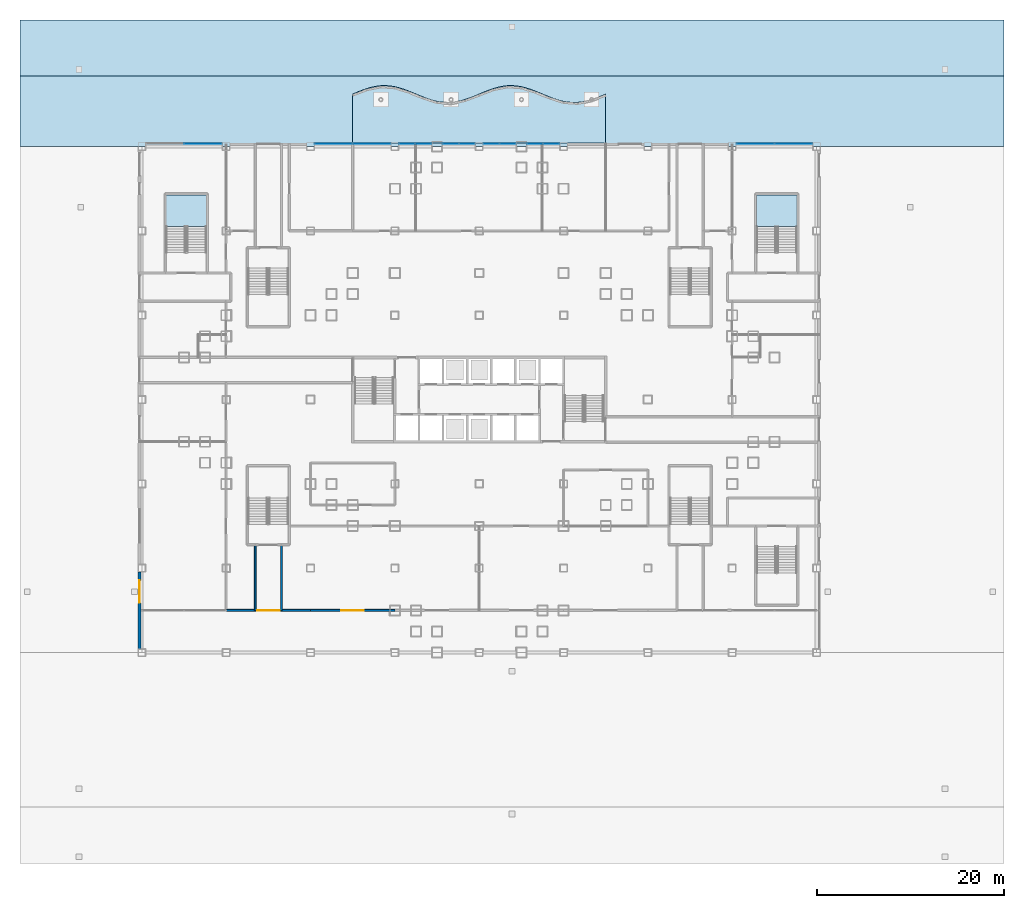
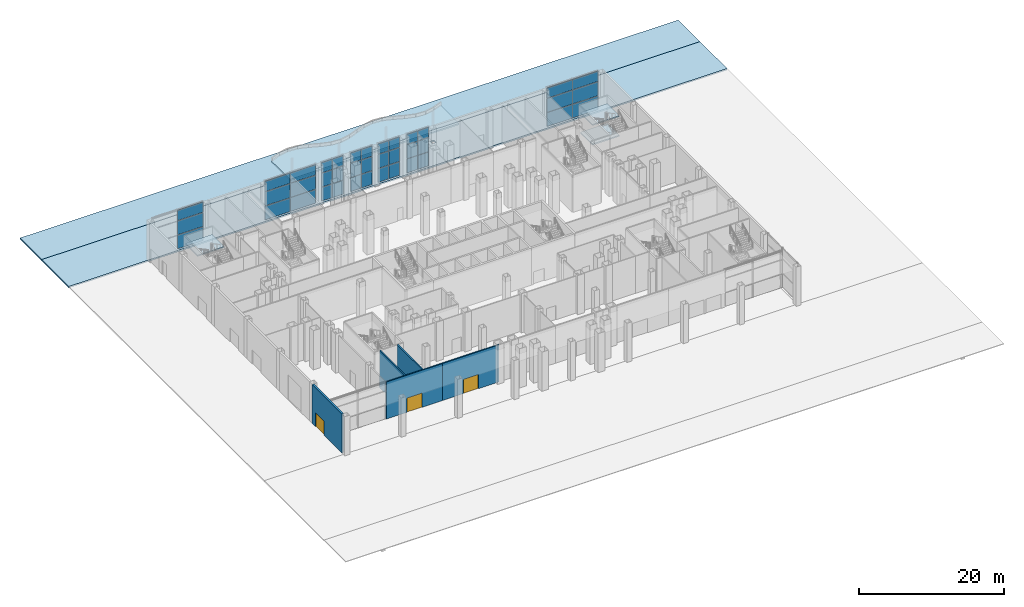
# One storey, part 12 of 38: 39 plates, 6 slabs, 5 walls, 3 doors, 3 openings, 9 elements without a shape of their own.
"""IFC4 building model written with IfcOpenShell, lengths in metres."""

from ifc_helpers import new_model, si_unit, direction, frame, frame_2d, origin, origin_2d, place, context, subcontext, project, spatial, polyline, rectangle, outline, extrude, material, layer, layer_set, type_object, element, fill, aggregate, save


model = new_model("IFC4")

# Units and contexts
model_context = context("Model", 3, precision=1e-05, world=origin(), true_north=direction((0.0, 1.0)))
body_context = subcontext(model_context, "Body", "Model", "MODEL_VIEW")
ifc_project = project(units=[si_unit("LENGTHUNIT", "METRE"), si_unit("AREAUNIT", "SQUARE_METRE"), si_unit("VOLUMEUNIT", "CUBIC_METRE"), si_unit("PLANEANGLEUNIT", "RADIAN"), si_unit("MASSUNIT", "GRAM", prefix="KILO")], contexts=[model_context])

# Site, building, storey
site_placement = place(None, origin())
site = spatial("IfcSite", under=ifc_project, at=site_placement, CompositionType="ELEMENT")
building_placement = place(site_placement, origin())
building = spatial("IfcBuilding", under=site, at=building_placement, Name="Caravel Reach Hotel and Residences", CompositionType="ELEMENT")
storey_placement = place(building_placement, origin())
storey = spatial("IfcBuildingStorey", under=building, at=storey_placement, Name="L00", CompositionType="ELEMENT", Elevation=0.0)

# Slab
ifc_material_1 = material(Name="Aluminium canopy panel", Category="aluminium")
ifc_layer_1 = layer(ifc_material_1, 0.25)
ifc_layer_set_1 = layer_set([ifc_layer_1], Name="CN1 Canopy roof slab 250")
slab_type_1 = type_object("IfcSlabType", Name="CN1 Canopy roof slab 250", PredefinedType="ROOF", material=ifc_layer_set_1)
slab_1_placement = place(storey_placement, frame((0.0, 0.0, 5.14990234375)))
element("IfcSlab", 1, at=slab_1_placement, inside=storey, type_object=slab_type_1, Name="Porte-cochere canopy", PredefinedType="ROOF", context=body_context, shape_type="SweptSolid", body=[
    extrude(outline(polyline([(18.0, 54.39990234375), (45.0, 54.39990234375), (45.0, 59.60009765625), (44.5, 59.392333984375), (44.0, 59.196044921875), (43.5, 59.021484375), (43.0, 58.878173828125), (42.5, 58.773681640625), (42.0, 58.713623046875), (41.5, 58.701416015625), (41.0, 58.73779296875), (40.5, 58.820556640625), (40.0, 58.9453125), (39.5, 59.10546875), (39.0, 59.292236328125), (38.5, 59.49560546875), (38.0, 59.70458984375), (37.5, 59.90771484375), (37.0, 60.094482421875), (36.5, 60.254638671875), (36.0, 60.37939453125), (35.5, 60.462158203125), (35.0, 60.49853515625), (34.5, 60.486328125), (34.0, 60.426513671875), (33.5, 60.322021484375), (33.0, 60.178466796875), (32.5, 60.00390625), (32.0, 59.8076171875), (31.5, 59.60009765625), (31.0, 59.392333984375), (30.5, 59.196044921875), (30.0, 59.021484375), (29.5, 58.878173828125), (29.0, 58.773681640625), (28.5, 58.713623046875), (28.0, 58.701416015625), (27.5, 58.73779296875), (27.0, 58.820556640625), (26.5, 58.9453125), (26.0, 59.10546875), (25.5, 59.292236328125), (25.0, 59.49560546875), (24.5, 59.70458984375), (24.0, 59.90771484375), (23.5, 60.094482421875), (23.0, 60.254638671875), (22.5, 60.37939453125), (22.0, 60.462158203125), (21.5, 60.49853515625), (21.0, 60.486328125), (20.5, 60.426513671875), (20.0, 60.322021484375), (19.5, 60.178466796875), (19.0, 60.00390625), (18.5, 59.8076171875), (18.0, 59.60009765625), (18.0, 54.39990234375)])), origin(), (0.0, 0.0, 1.0), 0.25),
])

# Curtain wall, plates
ifc_material_2 = material(Name="Dark low-e glazing in black aluminium frame", Category="aluminium")
ifc_layer_2 = layer(ifc_material_2, 0.199951171875)
ifc_layer_set_2 = layer_set([ifc_layer_2], Name="CW1 Podium storefront")
curtain_wall_type = type_object("IfcCurtainWallType", Name="CW1 Podium storefront", PredefinedType="NOTDEFINED", material=ifc_layer_set_2)
curtain_wall_1_placement = place(storey_placement, origin())
curtain_wall_1 = element("IfcCurtainWall", 2, at=curtain_wall_1_placement, inside=storey, type_object=curtain_wall_type, Name="Podium storefront b0", PredefinedType="NOTDEFINED")
ifc_material_3 = material(Name="Dark laminated low-e glass", Category="glass")
ifc_layer_3 = layer(ifc_material_3, 0.035888671875)
ifc_layer_set_3 = layer_set([ifc_layer_3], Name="CW glass panel 36")
plate_type = type_object("IfcPlateType", Name="CW glass panel 36", PredefinedType="CURTAIN_PANEL", material=ifc_layer_set_3)
plate_1_placement = place(storey_placement, frame((65.034912109375, 54.300048828125, 0.06005859375), z_axis=(0.0, 0.0, 1.0), x_axis=(-1.0, 0.0, 0.0)))
plate_1 = element("IfcPlate", 3, at=plate_1_placement, type_object=plate_type, Name="CW1 panel 1.1", PredefinedType="CURTAIN_PANEL", context=body_context, shape_type="SweptSolid", body=[
    extrude(rectangle(XDim=4.010009765625, YDim=0.035888671875, at=origin_2d()), origin(), (0.0, 0.0, 1.0), 2.31005859375),
])
plate_2_placement = place(storey_placement, frame((65.034912109375, 54.300048828125, 2.43017578125), z_axis=(0.0, 0.0, 1.0), x_axis=(-1.0, 0.0, 0.0)))
plate_2 = element("IfcPlate", 4, at=plate_2_placement, type_object=plate_type, Name="CW1 panel 1.2", PredefinedType="CURTAIN_PANEL", context=body_context, shape_type="SweptSolid", body=[
    extrude(rectangle(XDim=4.010009765625, YDim=0.035888671875, at=origin_2d()), origin(), (0.0, 0.0, 1.0), 2.340087890625),
])
plate_3_placement = place(storey_placement, frame((65.034912109375, 54.300048828125, 4.830078125), z_axis=(0.0, 0.0, 1.0), x_axis=(-1.0, 0.0, 0.0)))
plate_3 = element("IfcPlate", 5, at=plate_3_placement, type_object=plate_type, Name="CW1 panel 1.3", PredefinedType="CURTAIN_PANEL", context=body_context, shape_type="SweptSolid", body=[
    extrude(rectangle(XDim=4.010009765625, YDim=0.035888671875, at=origin_2d()), origin(), (0.0, 0.0, 1.0), 1.7099609375),
])
plate_4_placement = place(storey_placement, frame((60.965087890625, 54.300048828125, 0.06005859375), z_axis=(0.0, 0.0, 1.0), x_axis=(-1.0, 0.0, 0.0)))
plate_4 = element("IfcPlate", 6, at=plate_4_placement, type_object=plate_type, Name="CW1 panel 2.1", PredefinedType="CURTAIN_PANEL", context=body_context, shape_type="SweptSolid", body=[
    extrude(rectangle(XDim=4.010009765625, YDim=0.035888671875, at=origin_2d()), origin(), (0.0, 0.0, 1.0), 2.31005859375),
])
plate_5_placement = place(storey_placement, frame((60.965087890625, 54.300048828125, 2.43017578125), z_axis=(0.0, 0.0, 1.0), x_axis=(-1.0, 0.0, 0.0)))
plate_5 = element("IfcPlate", 7, at=plate_5_placement, type_object=plate_type, Name="CW1 panel 2.2", PredefinedType="CURTAIN_PANEL", context=body_context, shape_type="SweptSolid", body=[
    extrude(rectangle(XDim=4.010009765625, YDim=0.035888671875, at=origin_2d()), origin(), (0.0, 0.0, 1.0), 2.340087890625),
])
plate_6_placement = place(storey_placement, frame((60.965087890625, 54.300048828125, 4.830078125), z_axis=(0.0, 0.0, 1.0), x_axis=(-1.0, 0.0, 0.0)))
plate_6 = element("IfcPlate", 8, at=plate_6_placement, type_object=plate_type, Name="CW1 panel 2.3", PredefinedType="CURTAIN_PANEL", context=body_context, shape_type="SweptSolid", body=[
    extrude(rectangle(XDim=4.010009765625, YDim=0.035888671875, at=origin_2d()), origin(), (0.0, 0.0, 1.0), 1.7099609375),
])
aggregate(curtain_wall_1, [plate_1, plate_2, plate_3, plate_4, plate_5, plate_6])

curtain_wall_2_placement = place(storey_placement, origin())
curtain_wall_2 = element("IfcCurtainWall", 9, at=curtain_wall_2_placement, inside=storey, type_object=curtain_wall_type, Name="Podium storefront b3", PredefinedType="NOTDEFINED")
plate_7_placement = place(storey_placement, frame((39.197509765625, 54.300048828125, 0.06005859375), z_axis=(0.0, 0.0, 1.0), x_axis=(-1.0, 0.0, 0.0)))
plate_7 = element("IfcPlate", 10, at=plate_7_placement, type_object=plate_type, Name="CW1 panel 1.1", PredefinedType="CURTAIN_PANEL", context=body_context, shape_type="SweptSolid", body=[
    extrude(rectangle(XDim=1.68505859375, YDim=0.035888671875, at=origin_2d()), origin(), (0.0, 0.0, 1.0), 2.31005859375),
])
plate_8_placement = place(storey_placement, frame((39.197509765625, 54.300048828125, 2.43017578125), z_axis=(0.0, 0.0, 1.0), x_axis=(-1.0, 0.0, 0.0)))
plate_8 = element("IfcPlate", 11, at=plate_8_placement, type_object=plate_type, Name="CW1 panel 1.2", PredefinedType="CURTAIN_PANEL", context=body_context, shape_type="SweptSolid", body=[
    extrude(rectangle(XDim=1.68505859375, YDim=0.035888671875, at=origin_2d()), origin(), (0.0, 0.0, 1.0), 2.340087890625),
])
plate_9_placement = place(storey_placement, frame((39.197509765625, 54.300048828125, 4.830078125), z_axis=(0.0, 0.0, 1.0), x_axis=(-1.0, 0.0, 0.0)))
plate_9 = element("IfcPlate", 12, at=plate_9_placement, type_object=plate_type, Name="CW1 panel 1.3", PredefinedType="CURTAIN_PANEL", context=body_context, shape_type="SweptSolid", body=[
    extrude(rectangle(XDim=1.68505859375, YDim=0.035888671875, at=origin_2d()), origin(), (0.0, 0.0, 1.0), 1.7099609375),
])
plate_10_placement = place(storey_placement, frame((37.452392578125, 54.300048828125, 0.06005859375), z_axis=(0.0, 0.0, 1.0), x_axis=(-1.0, 0.0, 0.0)))
plate_10 = element("IfcPlate", 13, at=plate_10_placement, type_object=plate_type, Name="CW1 panel 2.1", PredefinedType="CURTAIN_PANEL", context=body_context, shape_type="SweptSolid", body=[
    extrude(rectangle(XDim=1.68505859375, YDim=0.035888671875, at=origin_2d()), origin(), (0.0, 0.0, 1.0), 2.31005859375),
])
plate_11_placement = place(storey_placement, frame((37.452392578125, 54.300048828125, 2.43017578125), z_axis=(0.0, 0.0, 1.0), x_axis=(-1.0, 0.0, 0.0)))
plate_11 = element("IfcPlate", 14, at=plate_11_placement, type_object=plate_type, Name="CW1 panel 2.2", PredefinedType="CURTAIN_PANEL", context=body_context, shape_type="SweptSolid", body=[
    extrude(rectangle(XDim=1.68505859375, YDim=0.035888671875, at=origin_2d()), origin(), (0.0, 0.0, 1.0), 2.340087890625),
])
plate_12_placement = place(storey_placement, frame((37.452392578125, 54.300048828125, 4.830078125), z_axis=(0.0, 0.0, 1.0), x_axis=(-1.0, 0.0, 0.0)))
plate_12 = element("IfcPlate", 15, at=plate_12_placement, type_object=plate_type, Name="CW1 panel 2.3", PredefinedType="CURTAIN_PANEL", context=body_context, shape_type="SweptSolid", body=[
    extrude(rectangle(XDim=1.68505859375, YDim=0.035888671875, at=origin_2d()), origin(), (0.0, 0.0, 1.0), 1.7099609375),
])
aggregate(curtain_wall_2, [plate_7, plate_8, plate_9, plate_10, plate_11, plate_12])

curtain_wall_3_placement = place(storey_placement, origin())
curtain_wall_3 = element("IfcCurtainWall", 16, at=curtain_wall_3_placement, inside=storey, type_object=curtain_wall_type, Name="Podium storefront b4", PredefinedType="NOTDEFINED")
plate_13_placement = place(storey_placement, frame((34.547607421875, 54.300048828125, 0.06005859375), z_axis=(0.0, 0.0, 1.0), x_axis=(-1.0, 0.0, 0.0)))
plate_13 = element("IfcPlate", 17, at=plate_13_placement, type_object=plate_type, Name="CW1 panel 1.1", PredefinedType="CURTAIN_PANEL", context=body_context, shape_type="SweptSolid", body=[
    extrude(rectangle(XDim=1.68505859375, YDim=0.035888671875, at=origin_2d()), origin(), (0.0, 0.0, 1.0), 2.31005859375),
])
plate_14_placement = place(storey_placement, frame((34.547607421875, 54.300048828125, 2.43017578125), z_axis=(0.0, 0.0, 1.0), x_axis=(-1.0, 0.0, 0.0)))
plate_14 = element("IfcPlate", 18, at=plate_14_placement, type_object=plate_type, Name="CW1 panel 1.2", PredefinedType="CURTAIN_PANEL", context=body_context, shape_type="SweptSolid", body=[
    extrude(rectangle(XDim=1.68505859375, YDim=0.035888671875, at=origin_2d()), origin(), (0.0, 0.0, 1.0), 2.340087890625),
])
plate_15_placement = place(storey_placement, frame((34.547607421875, 54.300048828125, 4.830078125), z_axis=(0.0, 0.0, 1.0), x_axis=(-1.0, 0.0, 0.0)))
plate_15 = element("IfcPlate", 19, at=plate_15_placement, type_object=plate_type, Name="CW1 panel 1.3", PredefinedType="CURTAIN_PANEL", context=body_context, shape_type="SweptSolid", body=[
    extrude(rectangle(XDim=1.68505859375, YDim=0.035888671875, at=origin_2d()), origin(), (0.0, 0.0, 1.0), 1.7099609375),
])
plate_16_placement = place(storey_placement, frame((32.802490234375, 54.300048828125, 0.06005859375), z_axis=(0.0, 0.0, 1.0), x_axis=(-1.0, 0.0, 0.0)))
plate_16 = element("IfcPlate", 20, at=plate_16_placement, type_object=plate_type, Name="CW1 panel 2.1", PredefinedType="CURTAIN_PANEL", context=body_context, shape_type="SweptSolid", body=[
    extrude(rectangle(XDim=1.68505859375, YDim=0.035888671875, at=origin_2d()), origin(), (0.0, 0.0, 1.0), 2.31005859375),
])
plate_17_placement = place(storey_placement, frame((32.802490234375, 54.300048828125, 2.43017578125), z_axis=(0.0, 0.0, 1.0), x_axis=(-1.0, 0.0, 0.0)))
plate_17 = element("IfcPlate", 21, at=plate_17_placement, type_object=plate_type, Name="CW1 panel 2.2", PredefinedType="CURTAIN_PANEL", context=body_context, shape_type="SweptSolid", body=[
    extrude(rectangle(XDim=1.68505859375, YDim=0.035888671875, at=origin_2d()), origin(), (0.0, 0.0, 1.0), 2.340087890625),
])
plate_18_placement = place(storey_placement, frame((32.802490234375, 54.300048828125, 4.830078125), z_axis=(0.0, 0.0, 1.0), x_axis=(-1.0, 0.0, 0.0)))
plate_18 = element("IfcPlate", 22, at=plate_18_placement, type_object=plate_type, Name="CW1 panel 2.3", PredefinedType="CURTAIN_PANEL", context=body_context, shape_type="SweptSolid", body=[
    extrude(rectangle(XDim=1.68505859375, YDim=0.035888671875, at=origin_2d()), origin(), (0.0, 0.0, 1.0), 1.7099609375),
])
aggregate(curtain_wall_3, [plate_13, plate_14, plate_15, plate_16, plate_17, plate_18])

curtain_wall_4_placement = place(storey_placement, origin())
curtain_wall_4 = element("IfcCurtainWall", 23, at=curtain_wall_4_placement, inside=storey, type_object=curtain_wall_type, Name="Podium storefront b5", PredefinedType="NOTDEFINED")
plate_19_placement = place(storey_placement, frame((30.197509765625, 54.300048828125, 0.06005859375), z_axis=(0.0, 0.0, 1.0), x_axis=(-1.0, 0.0, 0.0)))
plate_19 = element("IfcPlate", 24, at=plate_19_placement, type_object=plate_type, Name="CW1 panel 1.1", PredefinedType="CURTAIN_PANEL", context=body_context, shape_type="SweptSolid", body=[
    extrude(rectangle(XDim=1.68505859375, YDim=0.035888671875, at=origin_2d()), origin(), (0.0, 0.0, 1.0), 2.31005859375),
])
plate_20_placement = place(storey_placement, frame((30.197509765625, 54.300048828125, 2.43017578125), z_axis=(0.0, 0.0, 1.0), x_axis=(-1.0, 0.0, 0.0)))
plate_20 = element("IfcPlate", 25, at=plate_20_placement, type_object=plate_type, Name="CW1 panel 1.2", PredefinedType="CURTAIN_PANEL", context=body_context, shape_type="SweptSolid", body=[
    extrude(rectangle(XDim=1.68505859375, YDim=0.035888671875, at=origin_2d()), origin(), (0.0, 0.0, 1.0), 2.340087890625),
])
plate_21_placement = place(storey_placement, frame((30.197509765625, 54.300048828125, 4.830078125), z_axis=(0.0, 0.0, 1.0), x_axis=(-1.0, 0.0, 0.0)))
plate_21 = element("IfcPlate", 26, at=plate_21_placement, type_object=plate_type, Name="CW1 panel 1.3", PredefinedType="CURTAIN_PANEL", context=body_context, shape_type="SweptSolid", body=[
    extrude(rectangle(XDim=1.68505859375, YDim=0.035888671875, at=origin_2d()), origin(), (0.0, 0.0, 1.0), 1.7099609375),
])
plate_22_placement = place(storey_placement, frame((28.452392578125, 54.300048828125, 0.06005859375), z_axis=(0.0, 0.0, 1.0), x_axis=(-1.0, 0.0, 0.0)))
plate_22 = element("IfcPlate", 27, at=plate_22_placement, type_object=plate_type, Name="CW1 panel 2.1", PredefinedType="CURTAIN_PANEL", context=body_context, shape_type="SweptSolid", body=[
    extrude(rectangle(XDim=1.68505859375, YDim=0.035888671875, at=origin_2d()), origin(), (0.0, 0.0, 1.0), 2.31005859375),
])
plate_23_placement = place(storey_placement, frame((28.452392578125, 54.300048828125, 2.43017578125), z_axis=(0.0, 0.0, 1.0), x_axis=(-1.0, 0.0, 0.0)))
plate_23 = element("IfcPlate", 28, at=plate_23_placement, type_object=plate_type, Name="CW1 panel 2.2", PredefinedType="CURTAIN_PANEL", context=body_context, shape_type="SweptSolid", body=[
    extrude(rectangle(XDim=1.68505859375, YDim=0.035888671875, at=origin_2d()), origin(), (0.0, 0.0, 1.0), 2.340087890625),
])
plate_24_placement = place(storey_placement, frame((28.452392578125, 54.300048828125, 4.830078125), z_axis=(0.0, 0.0, 1.0), x_axis=(-1.0, 0.0, 0.0)))
plate_24 = element("IfcPlate", 29, at=plate_24_placement, type_object=plate_type, Name="CW1 panel 2.3", PredefinedType="CURTAIN_PANEL", context=body_context, shape_type="SweptSolid", body=[
    extrude(rectangle(XDim=1.68505859375, YDim=0.035888671875, at=origin_2d()), origin(), (0.0, 0.0, 1.0), 1.7099609375),
])
aggregate(curtain_wall_4, [plate_19, plate_20, plate_21, plate_22, plate_23, plate_24])

curtain_wall_5_placement = place(storey_placement, origin())
curtain_wall_5 = element("IfcCurtainWall", 30, at=curtain_wall_5_placement, inside=storey, type_object=curtain_wall_type, Name="Podium storefront b6", PredefinedType="NOTDEFINED")
plate_25_placement = place(storey_placement, frame((25.547607421875, 54.300048828125, 0.06005859375), z_axis=(0.0, 0.0, 1.0), x_axis=(-1.0, 0.0, 0.0)))
plate_25 = element("IfcPlate", 31, at=plate_25_placement, type_object=plate_type, Name="CW1 panel 1.1", PredefinedType="CURTAIN_PANEL", context=body_context, shape_type="SweptSolid", body=[
    extrude(rectangle(XDim=1.68505859375, YDim=0.035888671875, at=origin_2d()), origin(), (0.0, 0.0, 1.0), 2.31005859375),
])
plate_26_placement = place(storey_placement, frame((25.547607421875, 54.300048828125, 2.43017578125), z_axis=(0.0, 0.0, 1.0), x_axis=(-1.0, 0.0, 0.0)))
plate_26 = element("IfcPlate", 32, at=plate_26_placement, type_object=plate_type, Name="CW1 panel 1.2", PredefinedType="CURTAIN_PANEL", context=body_context, shape_type="SweptSolid", body=[
    extrude(rectangle(XDim=1.68505859375, YDim=0.035888671875, at=origin_2d()), origin(), (0.0, 0.0, 1.0), 2.340087890625),
])
plate_27_placement = place(storey_placement, frame((25.547607421875, 54.300048828125, 4.830078125), z_axis=(0.0, 0.0, 1.0), x_axis=(-1.0, 0.0, 0.0)))
plate_27 = element("IfcPlate", 33, at=plate_27_placement, type_object=plate_type, Name="CW1 panel 1.3", PredefinedType="CURTAIN_PANEL", context=body_context, shape_type="SweptSolid", body=[
    extrude(rectangle(XDim=1.68505859375, YDim=0.035888671875, at=origin_2d()), origin(), (0.0, 0.0, 1.0), 1.7099609375),
])
plate_28_placement = place(storey_placement, frame((23.802490234375, 54.300048828125, 0.06005859375), z_axis=(0.0, 0.0, 1.0), x_axis=(-1.0, 0.0, 0.0)))
plate_28 = element("IfcPlate", 34, at=plate_28_placement, type_object=plate_type, Name="CW1 panel 2.1", PredefinedType="CURTAIN_PANEL", context=body_context, shape_type="SweptSolid", body=[
    extrude(rectangle(XDim=1.68505859375, YDim=0.035888671875, at=origin_2d()), origin(), (0.0, 0.0, 1.0), 2.31005859375),
])
plate_29_placement = place(storey_placement, frame((23.802490234375, 54.300048828125, 2.43017578125), z_axis=(0.0, 0.0, 1.0), x_axis=(-1.0, 0.0, 0.0)))
plate_29 = element("IfcPlate", 35, at=plate_29_placement, type_object=plate_type, Name="CW1 panel 2.2", PredefinedType="CURTAIN_PANEL", context=body_context, shape_type="SweptSolid", body=[
    extrude(rectangle(XDim=1.68505859375, YDim=0.035888671875, at=origin_2d()), origin(), (0.0, 0.0, 1.0), 2.340087890625),
])
plate_30_placement = place(storey_placement, frame((23.802490234375, 54.300048828125, 4.830078125), z_axis=(0.0, 0.0, 1.0), x_axis=(-1.0, 0.0, 0.0)))
plate_30 = element("IfcPlate", 36, at=plate_30_placement, type_object=plate_type, Name="CW1 panel 2.3", PredefinedType="CURTAIN_PANEL", context=body_context, shape_type="SweptSolid", body=[
    extrude(rectangle(XDim=1.68505859375, YDim=0.035888671875, at=origin_2d()), origin(), (0.0, 0.0, 1.0), 1.7099609375),
])
aggregate(curtain_wall_5, [plate_25, plate_26, plate_27, plate_28, plate_29, plate_30])

curtain_wall_6_placement = place(storey_placement, origin())
curtain_wall_6 = element("IfcCurtainWall", 37, at=curtain_wall_6_placement, inside=storey, type_object=curtain_wall_type, Name="Podium storefront b7", PredefinedType="NOTDEFINED")
plate_31_placement = place(storey_placement, frame((20.034912109375, 54.300048828125, 0.06005859375), z_axis=(0.0, 0.0, 1.0), x_axis=(-1.0, 0.0, 0.0)))
plate_31 = element("IfcPlate", 38, at=plate_31_placement, type_object=plate_type, Name="CW1 panel 1.1", PredefinedType="CURTAIN_PANEL", context=body_context, shape_type="SweptSolid", body=[
    extrude(rectangle(XDim=4.010009765625, YDim=0.035888671875, at=origin_2d()), origin(), (0.0, 0.0, 1.0), 2.31005859375),
])
plate_32_placement = place(storey_placement, frame((20.034912109375, 54.300048828125, 2.43017578125), z_axis=(0.0, 0.0, 1.0), x_axis=(-1.0, 0.0, 0.0)))
plate_32 = element("IfcPlate", 39, at=plate_32_placement, type_object=plate_type, Name="CW1 panel 1.2", PredefinedType="CURTAIN_PANEL", context=body_context, shape_type="SweptSolid", body=[
    extrude(rectangle(XDim=4.010009765625, YDim=0.035888671875, at=origin_2d()), origin(), (0.0, 0.0, 1.0), 2.340087890625),
])
plate_33_placement = place(storey_placement, frame((20.034912109375, 54.300048828125, 4.830078125), z_axis=(0.0, 0.0, 1.0), x_axis=(-1.0, 0.0, 0.0)))
plate_33 = element("IfcPlate", 40, at=plate_33_placement, type_object=plate_type, Name="CW1 panel 1.3", PredefinedType="CURTAIN_PANEL", context=body_context, shape_type="SweptSolid", body=[
    extrude(rectangle(XDim=4.010009765625, YDim=0.035888671875, at=origin_2d()), origin(), (0.0, 0.0, 1.0), 1.7099609375),
])
plate_34_placement = place(storey_placement, frame((15.965087890625, 54.300048828125, 0.06005859375), z_axis=(0.0, 0.0, 1.0), x_axis=(-1.0, 0.0, 0.0)))
plate_34 = element("IfcPlate", 41, at=plate_34_placement, type_object=plate_type, Name="CW1 panel 2.1", PredefinedType="CURTAIN_PANEL", context=body_context, shape_type="SweptSolid", body=[
    extrude(rectangle(XDim=4.010009765625, YDim=0.035888671875, at=origin_2d()), origin(), (0.0, 0.0, 1.0), 2.31005859375),
])
plate_35_placement = place(storey_placement, frame((15.965087890625, 54.300048828125, 2.43017578125), z_axis=(0.0, 0.0, 1.0), x_axis=(-1.0, 0.0, 0.0)))
plate_35 = element("IfcPlate", 42, at=plate_35_placement, type_object=plate_type, Name="CW1 panel 2.2", PredefinedType="CURTAIN_PANEL", context=body_context, shape_type="SweptSolid", body=[
    extrude(rectangle(XDim=4.010009765625, YDim=0.035888671875, at=origin_2d()), origin(), (0.0, 0.0, 1.0), 2.340087890625),
])
plate_36_placement = place(storey_placement, frame((15.965087890625, 54.300048828125, 4.830078125), z_axis=(0.0, 0.0, 1.0), x_axis=(-1.0, 0.0, 0.0)))
plate_36 = element("IfcPlate", 43, at=plate_36_placement, type_object=plate_type, Name="CW1 panel 2.3", PredefinedType="CURTAIN_PANEL", context=body_context, shape_type="SweptSolid", body=[
    extrude(rectangle(XDim=4.010009765625, YDim=0.035888671875, at=origin_2d()), origin(), (0.0, 0.0, 1.0), 1.7099609375),
])
aggregate(curtain_wall_6, [plate_31, plate_32, plate_33, plate_34, plate_35, plate_36])

curtain_wall_7_placement = place(storey_placement, origin())
curtain_wall_7 = element("IfcCurtainWall", 44, at=curtain_wall_7_placement, inside=storey, type_object=curtain_wall_type, Name="Podium storefront b9", PredefinedType="NOTDEFINED")
plate_37_placement = place(storey_placement, frame((2.034912109375, 54.300048828125, 0.06005859375), z_axis=(0.0, 0.0, 1.0), x_axis=(-1.0, 0.0, 0.0)))
plate_37 = element("IfcPlate", 45, at=plate_37_placement, type_object=plate_type, Name="CW1 panel 1.1", PredefinedType="CURTAIN_PANEL", context=body_context, shape_type="SweptSolid", body=[
    extrude(rectangle(XDim=4.010009765625, YDim=0.035888671875, at=origin_2d()), origin(), (0.0, 0.0, 1.0), 2.31005859375),
])
plate_38_placement = place(storey_placement, frame((2.034912109375, 54.300048828125, 2.43017578125), z_axis=(0.0, 0.0, 1.0), x_axis=(-1.0, 0.0, 0.0)))
plate_38 = element("IfcPlate", 46, at=plate_38_placement, type_object=plate_type, Name="CW1 panel 1.2", PredefinedType="CURTAIN_PANEL", context=body_context, shape_type="SweptSolid", body=[
    extrude(rectangle(XDim=4.010009765625, YDim=0.035888671875, at=origin_2d()), origin(), (0.0, 0.0, 1.0), 2.340087890625),
])
plate_39_placement = place(storey_placement, frame((2.034912109375, 54.300048828125, 4.830078125), z_axis=(0.0, 0.0, 1.0), x_axis=(-1.0, 0.0, 0.0)))
plate_39 = element("IfcPlate", 47, at=plate_39_placement, type_object=plate_type, Name="CW1 panel 1.3", PredefinedType="CURTAIN_PANEL", context=body_context, shape_type="SweptSolid", body=[
    extrude(rectangle(XDim=4.010009765625, YDim=0.035888671875, at=origin_2d()), origin(), (0.0, 0.0, 1.0), 1.7099609375),
])
aggregate(curtain_wall_7, [plate_37, plate_38, plate_39])

# Stair, slab
ifc_material_4 = material(Name="Concrete C40", Category="concrete")
stair_type = type_object("IfcStairType", Name="Core stair", PredefinedType="HALF_TURN_STAIR", material=ifc_material_4)
stair_1_placement = place(storey_placement, origin())
stair_1 = element("IfcStair", 48, at=stair_1_placement, inside=storey, type_object=stair_type, Name="L00 Exit stair P5", PredefinedType="HALF_TURN_STAIR")
ifc_material_5 = material(Name="Concrete C40", Category="concrete")
ifc_layer_4 = layer(ifc_material_5, 0.199951171875)
ifc_layer_set_4 = layer_set([ifc_layer_4], Name="Core stair landing")
slab_type_2 = type_object("IfcSlabType", Name="Core stair landing", PredefinedType="LANDING", material=ifc_layer_set_4)
slab_2_placement = place(storey_placement, frame((0.0, 0.0, 4.75)))
slab_2 = element("IfcSlab", 49, at=slab_2_placement, type_object=slab_type_2, Name="ST-P5 landing 3", PredefinedType="LANDING", context=body_context, shape_type="SweptSolid", body=[
    extrude(outline(polyline([(2.39990234375, 45.489990234375), (2.39990234375, 48.85009765625), (-1.89990234375, 48.85009765625), (-1.89990234375, 45.489990234375), (2.39990234375, 45.489990234375)])), origin(), (0.0, 0.0, 1.0), 0.199951171875),
])
aggregate(stair_1, [slab_2])

# Stair, slabs
stair_2_placement = place(storey_placement, origin())
stair_2 = element("IfcStair", 50, at=stair_2_placement, inside=storey, type_object=stair_type, Name="L00 Exit stair P6", PredefinedType="HALF_TURN_STAIR")
slab_3_placement = place(storey_placement, frame((0.0, 0.0, 1.449951171875)))
slab_3 = element("IfcSlab", 51, at=slab_3_placement, type_object=slab_type_2, Name="ST-P6 landing 1", PredefinedType="LANDING", context=body_context, shape_type="SweptSolid", body=[
    extrude(outline(polyline([(65.39990234375, 45.489990234375), (65.39990234375, 48.85009765625), (61.10009765625, 48.85009765625), (61.10009765625, 45.489990234375), (65.39990234375, 45.489990234375)])), origin(), (0.0, 0.0, 1.0), 0.199951171875),
])
slab_4_placement = place(storey_placement, frame((0.0, 0.0, 4.75)))
slab_4 = element("IfcSlab", 52, at=slab_4_placement, type_object=slab_type_2, Name="ST-P6 landing 3", PredefinedType="LANDING", context=body_context, shape_type="SweptSolid", body=[
    extrude(outline(polyline([(65.39990234375, 45.489990234375), (65.39990234375, 48.85009765625), (61.10009765625, 48.85009765625), (61.10009765625, 45.489990234375), (65.39990234375, 45.489990234375)])), origin(), (0.0, 0.0, 1.0), 0.199951171875),
])
aggregate(stair_2, [slab_3, slab_4])

# Slabs
ifc_material_6 = material(Name="Granite paving", Category="masonry")
ifc_layer_5 = layer(ifc_material_6, 0.199951171875)
ifc_layer_set_5 = layer_set([ifc_layer_5], Name="PV1 Granite paving 200")
slab_type_3 = type_object("IfcSlabType", Name="PV1 Granite paving 200", PredefinedType="USERDEFINED", material=ifc_layer_set_5)
slab_5_placement = place(storey_placement, frame((0.0, 0.0, -0.199951171875)))
element("IfcSlab", 53, at=slab_5_placement, inside=storey, type_object=slab_type_3, Name="Arrival court paving", ObjectType="PAVING", PredefinedType="USERDEFINED", context=body_context, shape_type="SweptSolid", body=[
    extrude(outline(polyline([(87.5, 61.5), (87.5, 67.5), (-17.5, 67.5), (-17.5, 61.5), (87.5, 61.5)])), origin(), (0.0, 0.0, 1.0), 0.199951171875),
])
ifc_material_7 = material(Name="Asphalt paving")
ifc_layer_6 = layer(ifc_material_7, 0.25)
ifc_layer_set_6 = layer_set([ifc_layer_6], Name="PV3 Drop-off lane paving 250")
slab_type_4 = type_object("IfcSlabType", Name="PV3 Drop-off lane paving 250", PredefinedType="USERDEFINED", material=ifc_layer_set_6)
slab_6_placement = place(storey_placement, frame((0.0, 0.0, -0.25)))
element("IfcSlab", 54, at=slab_6_placement, inside=storey, type_object=slab_type_4, Name="Drop-off lane paving", ObjectType="PAVING", PredefinedType="USERDEFINED", context=body_context, shape_type="SweptSolid", body=[
    extrude(outline(polyline([(87.5, 54.0), (87.5, 61.5), (-17.5, 61.5), (-17.5, 54.0), (87.5, 54.0)]), holes=[polyline([(21.300048828125, 58.699951171875), (20.699951171875, 58.699951171875), (20.699951171875, 59.300048828125), (21.300048828125, 59.300048828125), (21.300048828125, 58.699951171875)]), polyline([(28.199951171875, 58.699951171875), (28.199951171875, 59.300048828125), (28.800048828125, 59.300048828125), (28.800048828125, 58.699951171875), (28.199951171875, 58.699951171875)]), polyline([(35.699951171875, 59.300048828125), (36.300048828125, 59.300048828125), (36.300048828125, 58.699951171875), (35.699951171875, 58.699951171875), (35.699951171875, 59.300048828125)]), polyline([(43.800048828125, 59.300048828125), (43.800048828125, 58.699951171875), (43.199951171875, 58.699951171875), (43.199951171875, 59.300048828125), (43.800048828125, 59.300048828125)])]), origin(), (0.0, 0.0, 1.0), 0.25),
])

# Walls
ifc_material_8 = material(Name="Autoclaved aerated block wall")
ifc_layer_7 = layer(ifc_material_8, 0.199951171875)
ifc_layer_set_7 = layer_set([ifc_layer_7], Name="Compartment wall 200 mm EI 120")
wall_type_1 = type_object("IfcWallType", Name="Compartment wall 200 mm EI 120", PredefinedType="PARTITIONING", material=ifc_layer_set_7)
for number, where, z_axis, x_axis, name in (
    (55, (10.39990234375, 4.5, 0.0), (0.0, 0.0, 1.0), (0.0, 1.0, 0.0), "L00 wall w071"),
    (56, (7.60009765625, 4.5, 0.0), (0.0, 0.0, 1.0), (0.0, 1.0, 0.0), "L00 wall w084"),
):
    element("IfcWall", number, at=place(storey_placement, frame(where, z_axis=z_axis, x_axis=x_axis)), inside=storey, type_object=wall_type_1, Name=name, PredefinedType="PARTITIONING", context=body_context, shape_type="SweptSolid", body=[
        extrude(rectangle(XDim=7.0, YDim=0.199951171875, at=frame_2d((3.5, 0.0))), origin(), (0.0, 0.0, 1.0), 6.25),
    ])

# Wall, opening, door
ifc_material_9 = material(Name="Insulated wall, stone cladding", Category="masonry")
ifc_layer_8 = layer(ifc_material_9, 0.300048828125)
ifc_layer_set_8 = layer_set([ifc_layer_8], Name="EW2 Podium stone-clad wall")
wall_type_2 = type_object("IfcWallType", Name="EW2 Podium stone-clad wall", PredefinedType="SOLIDWALL", material=ifc_layer_set_8)
wall_1_placement = place(storey_placement, frame((-4.75, 0.39990234375, 0.0), z_axis=(0.0, 0.0, 1.0), x_axis=(0.0, 1.0, 0.0)))
wall_1 = element("IfcWall", 57, at=wall_1_placement, inside=storey, type_object=wall_type_2, Name="External wall L00 W3.6", PredefinedType="SOLIDWALL", context=body_context, shape_type="SweptSolid", body=[
    extrude(rectangle(XDim=8.2001953125, YDim=0.300048828125, at=frame_2d((4.10009765625, 0.0))), origin(), (0.0, 0.0, 1.0), 6.60009765625),
])
opening_1_placement = place(wall_1_placement, frame((4.89990234375, 0.0, 0.0)))
opening_1 = element("IfcOpeningElement", 58, at=opening_1_placement, cuts=wall_1, Name="Opening D00-830", PredefinedType="OPENING", context=body_context, shape_type="SweptSolid", body=[
    extrude(rectangle(XDim=2.39990234375, YDim=2.39990234375, at=frame_2d((1.199951171875, 1.199951171875))), frame((0.0, 0.159912109375, 0.0), z_axis=(0.0, -1.0, 0.0), x_axis=(1.0, 0.0, 0.0)), (0.0, 0.0, 1.0), 0.320068359375),
])
ifc_material_10 = material(Name="Dark glazed door in black aluminium frame", Category="aluminium")
door_type = type_object("IfcDoorType", Name="Entrance door 2400 x 2400", OperationType="DOUBLE_DOOR_SINGLE_SWING", PredefinedType="DOOR", material=ifc_material_10)
door_1_placement = place(opening_1_placement, origin())
door_1 = element("IfcDoor", 59, at=door_1_placement, inside=storey, type_object=door_type, Name="Door D00-830", OperationType="DOUBLE_DOOR_SINGLE_SWING", OverallHeight=2.39990234375, OverallWidth=2.39990234375, PredefinedType="DOOR", context=body_context, shape_type="SweptSolid", body=[
    extrude(rectangle(XDim=2.39990234375, YDim=2.39990234375, at=frame_2d((1.199951171875, 1.199951171875))), frame((0.0, 0.02490234375, 0.0), z_axis=(0.0, -1.0, 0.0), x_axis=(1.0, 0.0, 0.0)), (0.0, 0.0, 1.0), 0.050048828125),
])
fill(opening_1, door_1)

ifc_material_11 = material(Name="Insulated wall, stone cladding", Category="masonry")
ifc_layer_9 = layer(ifc_material_11, 0.199951171875)
ifc_layer_set_9 = layer_set([ifc_layer_9], Name="EW3 Entrance wall 200")
wall_type_3 = type_object("IfcWallType", Name="EW3 Entrance wall 200", PredefinedType="SOLIDWALL", material=ifc_layer_set_9)
wall_2_placement = place(storey_placement, frame((13.5, 4.5, 0.0), z_axis=(0.0, 0.0, 1.0), x_axis=(-1.0, 0.0, 0.0)))
wall_2 = element("IfcWall", 60, at=wall_2_placement, inside=storey, type_object=wall_type_3, Name="Lobby wall 2", PredefinedType="SOLIDWALL", context=body_context, shape_type="SweptSolid", body=[
    extrude(rectangle(XDim=9.0, YDim=0.199951171875, at=frame_2d((4.5, 0.0))), origin(), (0.0, 0.0, 1.0), 6.25),
])
opening_2_placement = place(wall_2_placement, frame((3.300048828125, 0.0, 0.0)))
opening_2 = element("IfcOpeningElement", 61, at=opening_2_placement, cuts=wall_2, Name="Opening D00-831", PredefinedType="OPENING", context=body_context, shape_type="SweptSolid", body=[
    extrude(rectangle(XDim=2.39990234375, YDim=2.39990234375, at=frame_2d((1.199951171875, 1.199951171875))), frame((0.0, 0.10986328125, 0.0), z_axis=(0.0, -1.0, 0.0), x_axis=(1.0, 0.0, 0.0)), (0.0, 0.0, 1.0), 0.219970703125),
])
door_2_placement = place(opening_2_placement, origin())
door_2 = element("IfcDoor", 62, at=door_2_placement, inside=storey, type_object=door_type, Name="Door D00-831", OperationType="DOUBLE_DOOR_SINGLE_SWING", OverallHeight=2.39990234375, OverallWidth=2.39990234375, PredefinedType="DOOR", context=body_context, shape_type="SweptSolid", body=[
    extrude(rectangle(XDim=2.39990234375, YDim=2.39990234375, at=frame_2d((1.199951171875, 1.199951171875))), frame((0.0, 0.02490234375, 0.0), z_axis=(0.0, -1.0, 0.0), x_axis=(1.0, 0.0, 0.0)), (0.0, 0.0, 1.0), 0.050048828125),
])
fill(opening_2, door_2)

wall_3_placement = place(storey_placement, frame((22.5, 4.5, 0.0), z_axis=(0.0, 0.0, 1.0), x_axis=(-1.0, 0.0, 0.0)))
wall_3 = element("IfcWall", 63, at=wall_3_placement, inside=storey, type_object=wall_type_3, Name="Lobby wall 3", PredefinedType="SOLIDWALL", context=body_context, shape_type="SweptSolid", body=[
    extrude(rectangle(XDim=9.0, YDim=0.199951171875, at=frame_2d((4.5, 0.0))), origin(), (0.0, 0.0, 1.0), 6.25),
])
opening_3_placement = place(wall_3_placement, frame((3.300048828125, 0.0, 0.0)))
opening_3 = element("IfcOpeningElement", 64, at=opening_3_placement, cuts=wall_3, Name="Opening D00-832", PredefinedType="OPENING", context=body_context, shape_type="SweptSolid", body=[
    extrude(rectangle(XDim=2.39990234375, YDim=2.39990234375, at=frame_2d((1.199951171875, 1.199951171875))), frame((0.0, 0.10986328125, 0.0), z_axis=(0.0, -1.0, 0.0), x_axis=(1.0, 0.0, 0.0)), (0.0, 0.0, 1.0), 0.219970703125),
])
door_3_placement = place(opening_3_placement, origin())
door_3 = element("IfcDoor", 65, at=door_3_placement, inside=storey, type_object=door_type, Name="Door D00-832", OperationType="DOUBLE_DOOR_SINGLE_SWING", OverallHeight=2.39990234375, OverallWidth=2.39990234375, PredefinedType="DOOR", context=body_context, shape_type="SweptSolid", body=[
    extrude(rectangle(XDim=2.39990234375, YDim=2.39990234375, at=frame_2d((1.199951171875, 1.199951171875))), frame((0.0, 0.02490234375, 0.0), z_axis=(0.0, -1.0, 0.0), x_axis=(1.0, 0.0, 0.0)), (0.0, 0.0, 1.0), 0.050048828125),
])
fill(opening_3, door_3)

save(model, "model.ifc")
